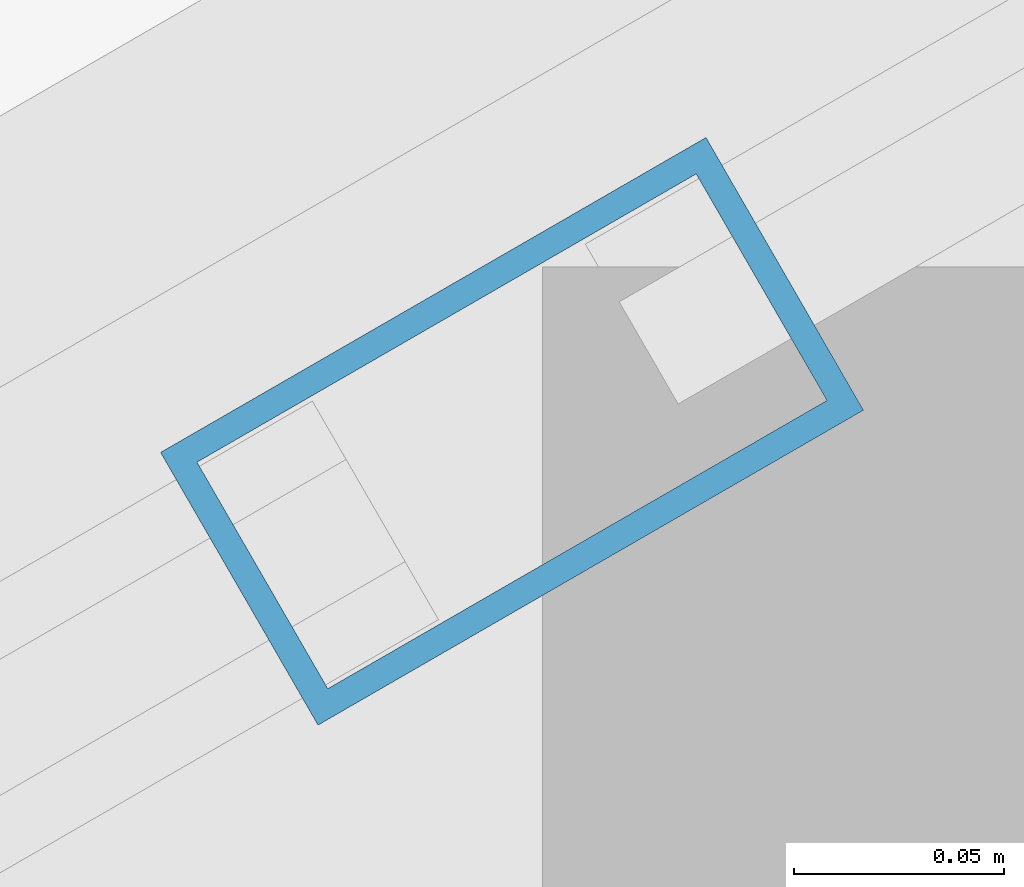
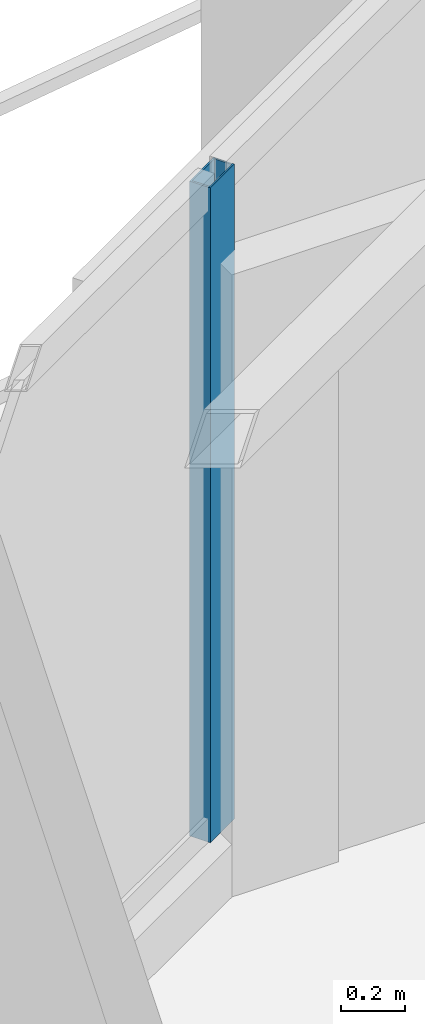
# One storey, part 10 of 21: 1 member, 1 element without a shape of its own.
"""IFC4 building model written with IfcOpenShell, lengths in metres."""

from ifc_helpers import new_model, si_unit, direction, frame, origin, origin_2d, place, context, subcontext, project, spatial, hollow_rectangle, extrude, material, layer, layer_set, material_profile, profile_set, type_object, element, aggregate, save


model = new_model("IFC4")

# Units and contexts
model_context = context("Model", 3, precision=1e-05, world=origin(), true_north=direction((0.0, 1.0)))
body_context = subcontext(model_context, "Body", "Model", "MODEL_VIEW")
ifc_project = project(units=[si_unit("LENGTHUNIT", "METRE"), si_unit("AREAUNIT", "SQUARE_METRE"), si_unit("VOLUMEUNIT", "CUBIC_METRE"), si_unit("PLANEANGLEUNIT", "RADIAN"), si_unit("MASSUNIT", "GRAM", prefix="KILO")], contexts=[model_context])

# Site, building, storey
site_placement = place(None, origin())
site = spatial("IfcSite", under=ifc_project, at=site_placement, CompositionType="ELEMENT")
building_placement = place(site_placement, origin())
building = spatial("IfcBuilding", under=site, at=building_placement, Name="Mersakhor Tower and Convention Hall", CompositionType="ELEMENT")
storey_placement = place(building_placement, frame((0.0, 0.0, 211.800048828125)))
storey = spatial("IfcBuildingStorey", under=building, at=storey_placement, Name="L59", CompositionType="ELEMENT", Elevation=211.800048828125)

# Curtain wall, member
ifc_material_1 = material(Name="Dark solar low-E aluminium curtain wall", Category="aluminium")
ifc_layer = layer(ifc_material_1, 0.169921875)
ifc_layer_set = layer_set([ifc_layer], Name="Dark solar low-E aluminium curtain wall")
curtain_wall_type = type_object("IfcCurtainWallType", Name="CW-SYS-02", PredefinedType="USERDEFINED", material=ifc_layer_set)
curtain_wall_placement = place(storey_placement, origin())
curtain_wall = element("IfcCurtainWall", 1, at=curtain_wall_placement, inside=storey, type_object=curtain_wall_type, Name="L59 Dark-Glass Curtain Wall F1-B2", ObjectType="CURTAIN WALL", PredefinedType="USERDEFINED")
ifc_material_2 = material(Name="Anodised aluminium EN AW-6063 T6", Category="aluminium")
ifc_material_profile = material_profile(ifc_material_2, hollow_rectangle(XDim=0.074951171875, YDim=0.14990234375, WallThickness=0.00634765625, at=origin_2d()), Name="RHS 150x75x6.3")
ifc_profile_set = profile_set([ifc_material_profile], Name="Anodised aluminium EN AW-6063 T6")
member_type = type_object("IfcMemberType", Name="CWM-150x75", PredefinedType="MULLION", material=ifc_profile_set)
member_placement = place(storey_placement, frame((24.504638671875, 37.535888671875, 0.199951171875), z_axis=(0.0, 0.0, 1.0), x_axis=(-0.500007824483, 0.86602088627, 0.0)))
member = element("IfcMember", 2, at=member_placement, type_object=member_type, Name="CW-02 mullion 3", PredefinedType="MULLION", context=body_context, shape_type="SweptSolid", body=[
    extrude(hollow_rectangle(XDim=0.074951171875, YDim=0.14990234375, WallThickness=0.00634765625, at=origin_2d()), origin(), (0.0, 0.0, 1.0), 2.489990234375),
])
aggregate(curtain_wall, [member])

save(model, "model.ifc")
